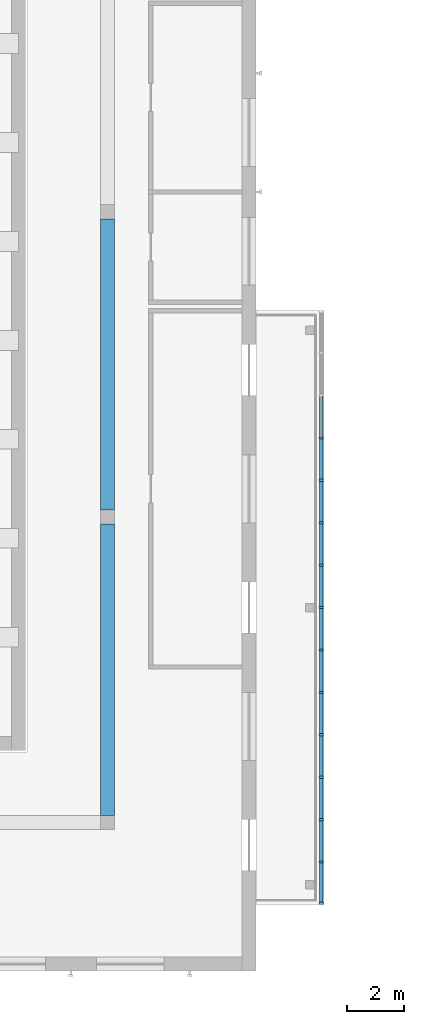
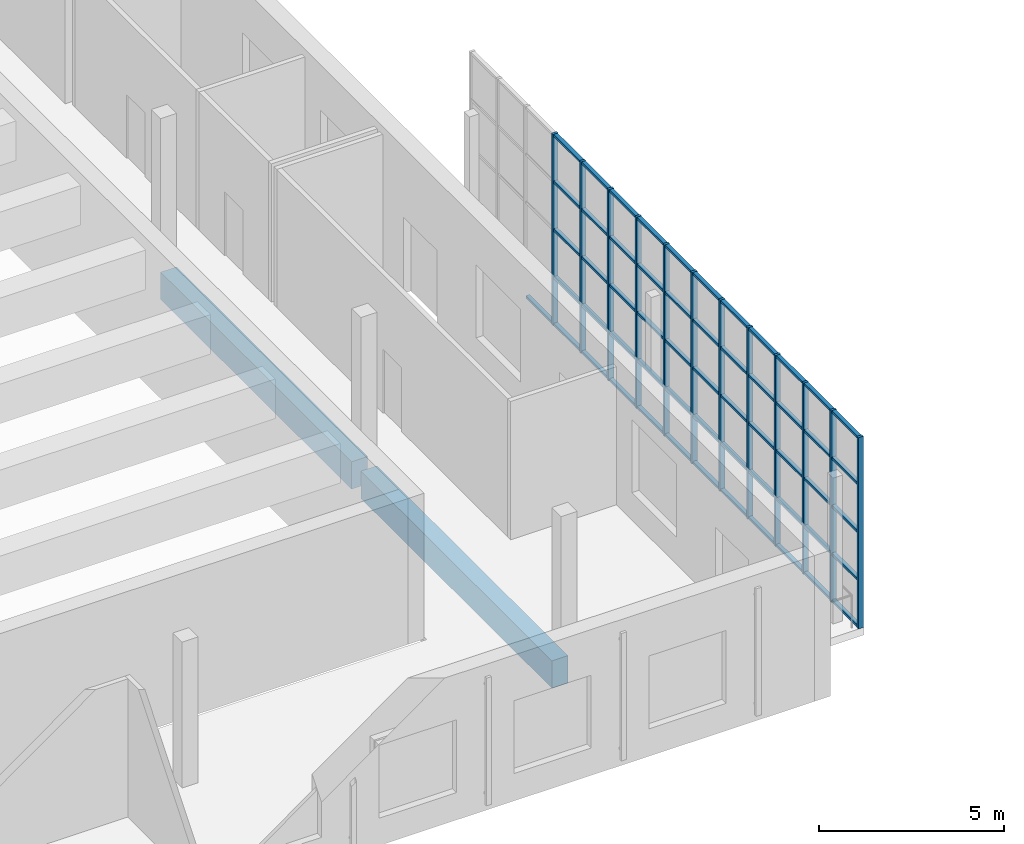
# One storey, part 16 of 116: 68 members, 2 beams, 1 element without a shape of its own.
"""IFC4 building model written with IfcOpenShell, lengths in metres."""

from ifc_helpers import new_model, si_unit, direction, frame, origin, origin_2d, place, context, subcontext, project, spatial, rectangle, extrude, material, material_profile, profile_set, type_object, element, aggregate, save


model = new_model("IFC4")

# Units and contexts
model_context = context("Model", 3, precision=1e-05, world=origin(), true_north=direction((0.0, 1.0)))
body_context = subcontext(model_context, "Body", "Model", "MODEL_VIEW")
ifc_project = project(units=[si_unit("LENGTHUNIT", "METRE"), si_unit("AREAUNIT", "SQUARE_METRE"), si_unit("VOLUMEUNIT", "CUBIC_METRE"), si_unit("PLANEANGLEUNIT", "RADIAN"), si_unit("MASSUNIT", "GRAM", prefix="KILO")], contexts=[model_context])

# Site, building, storey
site_placement = place(None, origin())
site = spatial("IfcSite", under=ifc_project, at=site_placement, CompositionType="ELEMENT")
building_placement = place(site_placement, origin())
building = spatial("IfcBuilding", under=site, at=building_placement, Name="Ljudholm Concert House", CompositionType="ELEMENT")
storey_placement = place(building_placement, frame((0.0, 0.0, 10.199951171875)))
storey = spatial("IfcBuildingStorey", under=building, at=storey_placement, Name="L02", CompositionType="ELEMENT", Elevation=10.199951171875)

# Curtain wall, members
ifc_material_1 = material(Name="Aluminium curtain wall with fixed aluminium storm louvre blades, timber-grain pvdf finish", Category="aluminium")
curtain_wall_type = type_object("IfcCurtainWallType", Name="CURTAIN WALL 1500", PredefinedType="NOTDEFINED", material=ifc_material_1)
curtain_wall_placement = place(storey_placement, origin())
curtain_wall = element("IfcCurtainWall", 1, at=curtain_wall_placement, inside=storey, type_object=curtain_wall_type, Name="Storm louvre screen", PredefinedType="NOTDEFINED")
ifc_material_2 = material(Name="Aluminium extrusion", Category="aluminium")
ifc_material_profile_1 = material_profile(ifc_material_2, rectangle(XDim=0.159912109375, YDim=0.080078125, at=origin_2d()), Name="MULLION 80x160")
ifc_profile_set_1 = profile_set([ifc_material_profile_1], Name="Aluminium extrusion")
member_type_1 = type_object("IfcMemberType", Name="MULLION 80x160", PredefinedType="MULLION", material=ifc_profile_set_1)
member_1_placement = place(storey_placement, frame((48.550048828125, 6.139892578125, 0.0), z_axis=(0.0, 0.0, 1.0), x_axis=(-1.0, 0.0, 0.0)))
member_1 = element("IfcMember", 2, at=member_1_placement, type_object=member_type_1, Name="Mullion", PredefinedType="MULLION", context=body_context, shape_type="SweptSolid", body=[
    extrude(rectangle(XDim=0.159912109375, YDim=0.080078125, at=origin_2d()), origin(), (0.0, 0.0, 1.0), 6.29931640625),
])
member_2_placement = place(storey_placement, frame((48.550048828125, 7.60009765625, 0.0), z_axis=(0.0, 0.0, 1.0), x_axis=(-1.0, 0.0, 0.0)))
member_2 = element("IfcMember", 3, at=member_2_placement, type_object=member_type_1, Name="Mullion", PredefinedType="MULLION", context=body_context, shape_type="SweptSolid", body=[
    extrude(rectangle(XDim=0.159912109375, YDim=0.080078125, at=origin_2d()), origin(), (0.0, 0.0, 1.0), 6.29931640625),
])
member_3_placement = place(storey_placement, frame((48.550048828125, 9.10009765625, 0.0), z_axis=(0.0, 0.0, 1.0), x_axis=(-1.0, 0.0, 0.0)))
member_3 = element("IfcMember", 4, at=member_3_placement, type_object=member_type_1, Name="Mullion", PredefinedType="MULLION", context=body_context, shape_type="SweptSolid", body=[
    extrude(rectangle(XDim=0.159912109375, YDim=0.080078125, at=origin_2d()), origin(), (0.0, 0.0, 1.0), 6.29931640625),
])
member_4_placement = place(storey_placement, frame((48.550048828125, 10.60009765625, 0.0), z_axis=(0.0, 0.0, 1.0), x_axis=(-1.0, 0.0, 0.0)))
member_4 = element("IfcMember", 5, at=member_4_placement, type_object=member_type_1, Name="Mullion", PredefinedType="MULLION", context=body_context, shape_type="SweptSolid", body=[
    extrude(rectangle(XDim=0.159912109375, YDim=0.080078125, at=origin_2d()), origin(), (0.0, 0.0, 1.0), 6.29931640625),
])
member_5_placement = place(storey_placement, frame((48.550048828125, 12.10009765625, 0.0), z_axis=(0.0, 0.0, 1.0), x_axis=(-1.0, 0.0, 0.0)))
member_5 = element("IfcMember", 6, at=member_5_placement, type_object=member_type_1, Name="Mullion", PredefinedType="MULLION", context=body_context, shape_type="SweptSolid", body=[
    extrude(rectangle(XDim=0.159912109375, YDim=0.080078125, at=origin_2d()), origin(), (0.0, 0.0, 1.0), 6.29931640625),
])
member_6_placement = place(storey_placement, frame((48.550048828125, 13.60009765625, 0.0), z_axis=(0.0, 0.0, 1.0), x_axis=(-1.0, 0.0, 0.0)))
member_6 = element("IfcMember", 7, at=member_6_placement, type_object=member_type_1, Name="Mullion", PredefinedType="MULLION", context=body_context, shape_type="SweptSolid", body=[
    extrude(rectangle(XDim=0.159912109375, YDim=0.080078125, at=origin_2d()), origin(), (0.0, 0.0, 1.0), 6.29931640625),
])
member_7_placement = place(storey_placement, frame((48.550048828125, 15.10009765625, 0.0), z_axis=(0.0, 0.0, 1.0), x_axis=(-1.0, 0.0, 0.0)))
member_7 = element("IfcMember", 8, at=member_7_placement, type_object=member_type_1, Name="Mullion", PredefinedType="MULLION", context=body_context, shape_type="SweptSolid", body=[
    extrude(rectangle(XDim=0.159912109375, YDim=0.080078125, at=origin_2d()), origin(), (0.0, 0.0, 1.0), 6.29931640625),
])
member_8_placement = place(storey_placement, frame((48.550048828125, 16.60009765625, 0.0), z_axis=(0.0, 0.0, 1.0), x_axis=(-1.0, 0.0, 0.0)))
member_8 = element("IfcMember", 9, at=member_8_placement, type_object=member_type_1, Name="Mullion", PredefinedType="MULLION", context=body_context, shape_type="SweptSolid", body=[
    extrude(rectangle(XDim=0.159912109375, YDim=0.080078125, at=origin_2d()), origin(), (0.0, 0.0, 1.0), 6.29931640625),
])
member_9_placement = place(storey_placement, frame((48.550048828125, 18.10009765625, 0.0), z_axis=(0.0, 0.0, 1.0), x_axis=(-1.0, 0.0, 0.0)))
member_9 = element("IfcMember", 10, at=member_9_placement, type_object=member_type_1, Name="Mullion", PredefinedType="MULLION", context=body_context, shape_type="SweptSolid", body=[
    extrude(rectangle(XDim=0.159912109375, YDim=0.080078125, at=origin_2d()), origin(), (0.0, 0.0, 1.0), 6.29931640625),
])
member_10_placement = place(storey_placement, frame((48.550048828125, 19.60009765625, 0.0), z_axis=(0.0, 0.0, 1.0), x_axis=(-1.0, 0.0, 0.0)))
member_10 = element("IfcMember", 11, at=member_10_placement, type_object=member_type_1, Name="Mullion", PredefinedType="MULLION", context=body_context, shape_type="SweptSolid", body=[
    extrude(rectangle(XDim=0.159912109375, YDim=0.080078125, at=origin_2d()), origin(), (0.0, 0.0, 1.0), 6.29931640625),
])
member_11_placement = place(storey_placement, frame((48.550048828125, 21.10009765625, 0.0), z_axis=(0.0, 0.0, 1.0), x_axis=(-1.0, 0.0, 0.0)))
member_11 = element("IfcMember", 12, at=member_11_placement, type_object=member_type_1, Name="Mullion", PredefinedType="MULLION", context=body_context, shape_type="SweptSolid", body=[
    extrude(rectangle(XDim=0.159912109375, YDim=0.080078125, at=origin_2d()), origin(), (0.0, 0.0, 1.0), 6.29931640625),
])
member_12_placement = place(storey_placement, frame((48.550048828125, 22.60009765625, 0.0), z_axis=(0.0, 0.0, 1.0), x_axis=(-1.0, 0.0, 0.0)))
member_12 = element("IfcMember", 13, at=member_12_placement, type_object=member_type_1, Name="Mullion", PredefinedType="MULLION", context=body_context, shape_type="SweptSolid", body=[
    extrude(rectangle(XDim=0.159912109375, YDim=0.080078125, at=origin_2d()), origin(), (0.0, 0.0, 1.0), 6.29931640625),
])

# Beams
ifc_material_3 = material(Name="Concrete 6,500 psi", Category="concrete")
ifc_material_profile_2 = material_profile(ifc_material_3, rectangle(XDim=0.5, YDim=0.89990234375, at=origin_2d()), Name="RC BEAM 500x900")
ifc_profile_set_2 = profile_set([ifc_material_profile_2], Name="Concrete 6,500 psi")
beam_type = type_object("IfcBeamType", Name="RC BEAM 500x900", PredefinedType="BEAM", material=ifc_profile_set_2)
for number, where, z_axis, x_axis, name in (
    (14, (41.0, 9.25, -0.699951171875), (0.0, 1.0, 0.0), (-1.0, 0.0, 0.0), "Ring beam"),
    (15, (41.0, 20.050048828125, -0.699951171875), (0.0, 1.0, 0.0), (-1.0, 0.0, 0.0), "Ring beam"),
):
    element("IfcBeam", number, at=place(storey_placement, frame(where, z_axis=z_axis, x_axis=x_axis)), inside=storey, type_object=beam_type, Name=name, PredefinedType="BEAM", context=body_context, shape_type="SweptSolid", body=[
        extrude(rectangle(XDim=0.5, YDim=0.89990234375, at=origin_2d()), origin(), (0.0, 0.0, 1.0), 10.300048828125),
    ])

# Member
ifc_material_4 = material(Name="Aluminium extrusion", Category="aluminium")
ifc_material_profile_3 = material_profile(ifc_material_4, rectangle(XDim=0.1201171875, YDim=0.080078125, at=origin_2d()), Name="TRANSOM 80x120")
ifc_profile_set_3 = profile_set([ifc_material_profile_3], Name="Aluminium extrusion")
member_type_2 = type_object("IfcMemberType", Name="TRANSOM 80x120", PredefinedType="USERDEFINED", material=ifc_profile_set_3)
member_13_placement = place(storey_placement, frame((48.550048828125, 6.179931640625, 0.0400390625), z_axis=(0.0, 1.0, 0.0), x_axis=(-1.0, 0.0, 0.0)))
member_13 = element("IfcMember", 16, at=member_13_placement, type_object=member_type_2, Name="Transom", ObjectType="TRANSOM", PredefinedType="USERDEFINED", context=body_context, shape_type="SweptSolid", body=[
    extrude(rectangle(XDim=0.1201171875, YDim=0.080078125, at=origin_2d()), origin(), (0.0, 0.0, 1.0), 1.380126953125),
])

member_14_placement = place(storey_placement, frame((48.550048828125, 6.179931640625, 1.574951171875), z_axis=(0.0, 1.0, 0.0), x_axis=(-1.0, 0.0, 0.0)))
member_14 = element("IfcMember", 17, at=member_14_placement, type_object=member_type_2, Name="Transom", ObjectType="TRANSOM", PredefinedType="USERDEFINED", context=body_context, shape_type="SweptSolid", body=[
    extrude(rectangle(XDim=0.1201171875, YDim=0.080078125, at=origin_2d()), origin(), (0.0, 0.0, 1.0), 1.380126953125),
])

member_15_placement = place(storey_placement, frame((48.550048828125, 6.179931640625, 3.149658203125), z_axis=(0.0, 1.0, 0.0), x_axis=(-1.0, 0.0, 0.0)))
member_15 = element("IfcMember", 18, at=member_15_placement, type_object=member_type_2, Name="Transom", ObjectType="TRANSOM", PredefinedType="USERDEFINED", context=body_context, shape_type="SweptSolid", body=[
    extrude(rectangle(XDim=0.1201171875, YDim=0.080078125, at=origin_2d()), origin(), (0.0, 0.0, 1.0), 1.380126953125),
])

member_16_placement = place(storey_placement, frame((48.550048828125, 6.179931640625, 4.724365234375), z_axis=(0.0, 1.0, 0.0), x_axis=(-1.0, 0.0, 0.0)))
member_16 = element("IfcMember", 19, at=member_16_placement, type_object=member_type_2, Name="Transom", ObjectType="TRANSOM", PredefinedType="USERDEFINED", context=body_context, shape_type="SweptSolid", body=[
    extrude(rectangle(XDim=0.1201171875, YDim=0.080078125, at=origin_2d()), origin(), (0.0, 0.0, 1.0), 1.380126953125),
])

member_17_placement = place(storey_placement, frame((48.550048828125, 6.179931640625, 6.25927734375), z_axis=(0.0, 1.0, 0.0), x_axis=(-1.0, 0.0, 0.0)))
member_17 = element("IfcMember", 20, at=member_17_placement, type_object=member_type_2, Name="Transom", ObjectType="TRANSOM", PredefinedType="USERDEFINED", context=body_context, shape_type="SweptSolid", body=[
    extrude(rectangle(XDim=0.1201171875, YDim=0.080078125, at=origin_2d()), origin(), (0.0, 0.0, 1.0), 1.380126953125),
])

member_18_placement = place(storey_placement, frame((48.550048828125, 7.639892578125, 0.0400390625), z_axis=(0.0, 1.0, 0.0), x_axis=(-1.0, 0.0, 0.0)))
member_18 = element("IfcMember", 21, at=member_18_placement, type_object=member_type_2, Name="Transom", ObjectType="TRANSOM", PredefinedType="USERDEFINED", context=body_context, shape_type="SweptSolid", body=[
    extrude(rectangle(XDim=0.1201171875, YDim=0.080078125, at=origin_2d()), origin(), (0.0, 0.0, 1.0), 1.420166015625),
])

member_19_placement = place(storey_placement, frame((48.550048828125, 7.639892578125, 1.574951171875), z_axis=(0.0, 1.0, 0.0), x_axis=(-1.0, 0.0, 0.0)))
member_19 = element("IfcMember", 22, at=member_19_placement, type_object=member_type_2, Name="Transom", ObjectType="TRANSOM", PredefinedType="USERDEFINED", context=body_context, shape_type="SweptSolid", body=[
    extrude(rectangle(XDim=0.1201171875, YDim=0.080078125, at=origin_2d()), origin(), (0.0, 0.0, 1.0), 1.420166015625),
])

member_20_placement = place(storey_placement, frame((48.550048828125, 7.639892578125, 3.149658203125), z_axis=(0.0, 1.0, 0.0), x_axis=(-1.0, 0.0, 0.0)))
member_20 = element("IfcMember", 23, at=member_20_placement, type_object=member_type_2, Name="Transom", ObjectType="TRANSOM", PredefinedType="USERDEFINED", context=body_context, shape_type="SweptSolid", body=[
    extrude(rectangle(XDim=0.1201171875, YDim=0.080078125, at=origin_2d()), origin(), (0.0, 0.0, 1.0), 1.420166015625),
])

member_21_placement = place(storey_placement, frame((48.550048828125, 7.639892578125, 4.724365234375), z_axis=(0.0, 1.0, 0.0), x_axis=(-1.0, 0.0, 0.0)))
member_21 = element("IfcMember", 24, at=member_21_placement, type_object=member_type_2, Name="Transom", ObjectType="TRANSOM", PredefinedType="USERDEFINED", context=body_context, shape_type="SweptSolid", body=[
    extrude(rectangle(XDim=0.1201171875, YDim=0.080078125, at=origin_2d()), origin(), (0.0, 0.0, 1.0), 1.420166015625),
])

member_22_placement = place(storey_placement, frame((48.550048828125, 7.639892578125, 6.25927734375), z_axis=(0.0, 1.0, 0.0), x_axis=(-1.0, 0.0, 0.0)))
member_22 = element("IfcMember", 25, at=member_22_placement, type_object=member_type_2, Name="Transom", ObjectType="TRANSOM", PredefinedType="USERDEFINED", context=body_context, shape_type="SweptSolid", body=[
    extrude(rectangle(XDim=0.1201171875, YDim=0.080078125, at=origin_2d()), origin(), (0.0, 0.0, 1.0), 1.420166015625),
])

member_23_placement = place(storey_placement, frame((48.550048828125, 9.139892578125, 0.0400390625), z_axis=(0.0, 1.0, 0.0), x_axis=(-1.0, 0.0, 0.0)))
member_23 = element("IfcMember", 26, at=member_23_placement, type_object=member_type_2, Name="Transom", ObjectType="TRANSOM", PredefinedType="USERDEFINED", context=body_context, shape_type="SweptSolid", body=[
    extrude(rectangle(XDim=0.1201171875, YDim=0.080078125, at=origin_2d()), origin(), (0.0, 0.0, 1.0), 1.420166015625),
])

member_24_placement = place(storey_placement, frame((48.550048828125, 9.139892578125, 1.574951171875), z_axis=(0.0, 1.0, 0.0), x_axis=(-1.0, 0.0, 0.0)))
member_24 = element("IfcMember", 27, at=member_24_placement, type_object=member_type_2, Name="Transom", ObjectType="TRANSOM", PredefinedType="USERDEFINED", context=body_context, shape_type="SweptSolid", body=[
    extrude(rectangle(XDim=0.1201171875, YDim=0.080078125, at=origin_2d()), origin(), (0.0, 0.0, 1.0), 1.420166015625),
])

member_25_placement = place(storey_placement, frame((48.550048828125, 9.139892578125, 3.149658203125), z_axis=(0.0, 1.0, 0.0), x_axis=(-1.0, 0.0, 0.0)))
member_25 = element("IfcMember", 28, at=member_25_placement, type_object=member_type_2, Name="Transom", ObjectType="TRANSOM", PredefinedType="USERDEFINED", context=body_context, shape_type="SweptSolid", body=[
    extrude(rectangle(XDim=0.1201171875, YDim=0.080078125, at=origin_2d()), origin(), (0.0, 0.0, 1.0), 1.420166015625),
])

member_26_placement = place(storey_placement, frame((48.550048828125, 9.139892578125, 4.724365234375), z_axis=(0.0, 1.0, 0.0), x_axis=(-1.0, 0.0, 0.0)))
member_26 = element("IfcMember", 29, at=member_26_placement, type_object=member_type_2, Name="Transom", ObjectType="TRANSOM", PredefinedType="USERDEFINED", context=body_context, shape_type="SweptSolid", body=[
    extrude(rectangle(XDim=0.1201171875, YDim=0.080078125, at=origin_2d()), origin(), (0.0, 0.0, 1.0), 1.420166015625),
])

member_27_placement = place(storey_placement, frame((48.550048828125, 9.139892578125, 6.25927734375), z_axis=(0.0, 1.0, 0.0), x_axis=(-1.0, 0.0, 0.0)))
member_27 = element("IfcMember", 30, at=member_27_placement, type_object=member_type_2, Name="Transom", ObjectType="TRANSOM", PredefinedType="USERDEFINED", context=body_context, shape_type="SweptSolid", body=[
    extrude(rectangle(XDim=0.1201171875, YDim=0.080078125, at=origin_2d()), origin(), (0.0, 0.0, 1.0), 1.420166015625),
])

member_28_placement = place(storey_placement, frame((48.550048828125, 10.639892578125, 0.0400390625), z_axis=(0.0, 1.0, 0.0), x_axis=(-1.0, 0.0, 0.0)))
member_28 = element("IfcMember", 31, at=member_28_placement, type_object=member_type_2, Name="Transom", ObjectType="TRANSOM", PredefinedType="USERDEFINED", context=body_context, shape_type="SweptSolid", body=[
    extrude(rectangle(XDim=0.1201171875, YDim=0.080078125, at=origin_2d()), origin(), (0.0, 0.0, 1.0), 1.420166015625),
])

member_29_placement = place(storey_placement, frame((48.550048828125, 10.639892578125, 1.574951171875), z_axis=(0.0, 1.0, 0.0), x_axis=(-1.0, 0.0, 0.0)))
member_29 = element("IfcMember", 32, at=member_29_placement, type_object=member_type_2, Name="Transom", ObjectType="TRANSOM", PredefinedType="USERDEFINED", context=body_context, shape_type="SweptSolid", body=[
    extrude(rectangle(XDim=0.1201171875, YDim=0.080078125, at=origin_2d()), origin(), (0.0, 0.0, 1.0), 1.420166015625),
])

member_30_placement = place(storey_placement, frame((48.550048828125, 10.639892578125, 3.149658203125), z_axis=(0.0, 1.0, 0.0), x_axis=(-1.0, 0.0, 0.0)))
member_30 = element("IfcMember", 33, at=member_30_placement, type_object=member_type_2, Name="Transom", ObjectType="TRANSOM", PredefinedType="USERDEFINED", context=body_context, shape_type="SweptSolid", body=[
    extrude(rectangle(XDim=0.1201171875, YDim=0.080078125, at=origin_2d()), origin(), (0.0, 0.0, 1.0), 1.420166015625),
])

member_31_placement = place(storey_placement, frame((48.550048828125, 10.639892578125, 4.724365234375), z_axis=(0.0, 1.0, 0.0), x_axis=(-1.0, 0.0, 0.0)))
member_31 = element("IfcMember", 34, at=member_31_placement, type_object=member_type_2, Name="Transom", ObjectType="TRANSOM", PredefinedType="USERDEFINED", context=body_context, shape_type="SweptSolid", body=[
    extrude(rectangle(XDim=0.1201171875, YDim=0.080078125, at=origin_2d()), origin(), (0.0, 0.0, 1.0), 1.420166015625),
])

member_32_placement = place(storey_placement, frame((48.550048828125, 10.639892578125, 6.25927734375), z_axis=(0.0, 1.0, 0.0), x_axis=(-1.0, 0.0, 0.0)))
member_32 = element("IfcMember", 35, at=member_32_placement, type_object=member_type_2, Name="Transom", ObjectType="TRANSOM", PredefinedType="USERDEFINED", context=body_context, shape_type="SweptSolid", body=[
    extrude(rectangle(XDim=0.1201171875, YDim=0.080078125, at=origin_2d()), origin(), (0.0, 0.0, 1.0), 1.420166015625),
])

member_33_placement = place(storey_placement, frame((48.550048828125, 12.139892578125, 0.0400390625), z_axis=(0.0, 1.0, 0.0), x_axis=(-1.0, 0.0, 0.0)))
member_33 = element("IfcMember", 36, at=member_33_placement, type_object=member_type_2, Name="Transom", ObjectType="TRANSOM", PredefinedType="USERDEFINED", context=body_context, shape_type="SweptSolid", body=[
    extrude(rectangle(XDim=0.1201171875, YDim=0.080078125, at=origin_2d()), origin(), (0.0, 0.0, 1.0), 1.420166015625),
])

member_34_placement = place(storey_placement, frame((48.550048828125, 12.139892578125, 1.574951171875), z_axis=(0.0, 1.0, 0.0), x_axis=(-1.0, 0.0, 0.0)))
member_34 = element("IfcMember", 37, at=member_34_placement, type_object=member_type_2, Name="Transom", ObjectType="TRANSOM", PredefinedType="USERDEFINED", context=body_context, shape_type="SweptSolid", body=[
    extrude(rectangle(XDim=0.1201171875, YDim=0.080078125, at=origin_2d()), origin(), (0.0, 0.0, 1.0), 1.420166015625),
])

member_35_placement = place(storey_placement, frame((48.550048828125, 12.139892578125, 3.149658203125), z_axis=(0.0, 1.0, 0.0), x_axis=(-1.0, 0.0, 0.0)))
member_35 = element("IfcMember", 38, at=member_35_placement, type_object=member_type_2, Name="Transom", ObjectType="TRANSOM", PredefinedType="USERDEFINED", context=body_context, shape_type="SweptSolid", body=[
    extrude(rectangle(XDim=0.1201171875, YDim=0.080078125, at=origin_2d()), origin(), (0.0, 0.0, 1.0), 1.420166015625),
])

member_36_placement = place(storey_placement, frame((48.550048828125, 12.139892578125, 4.724365234375), z_axis=(0.0, 1.0, 0.0), x_axis=(-1.0, 0.0, 0.0)))
member_36 = element("IfcMember", 39, at=member_36_placement, type_object=member_type_2, Name="Transom", ObjectType="TRANSOM", PredefinedType="USERDEFINED", context=body_context, shape_type="SweptSolid", body=[
    extrude(rectangle(XDim=0.1201171875, YDim=0.080078125, at=origin_2d()), origin(), (0.0, 0.0, 1.0), 1.420166015625),
])

member_37_placement = place(storey_placement, frame((48.550048828125, 12.139892578125, 6.25927734375), z_axis=(0.0, 1.0, 0.0), x_axis=(-1.0, 0.0, 0.0)))
member_37 = element("IfcMember", 40, at=member_37_placement, type_object=member_type_2, Name="Transom", ObjectType="TRANSOM", PredefinedType="USERDEFINED", context=body_context, shape_type="SweptSolid", body=[
    extrude(rectangle(XDim=0.1201171875, YDim=0.080078125, at=origin_2d()), origin(), (0.0, 0.0, 1.0), 1.420166015625),
])

member_38_placement = place(storey_placement, frame((48.550048828125, 13.639892578125, 0.0400390625), z_axis=(0.0, 1.0, 0.0), x_axis=(-1.0, 0.0, 0.0)))
member_38 = element("IfcMember", 41, at=member_38_placement, type_object=member_type_2, Name="Transom", ObjectType="TRANSOM", PredefinedType="USERDEFINED", context=body_context, shape_type="SweptSolid", body=[
    extrude(rectangle(XDim=0.1201171875, YDim=0.080078125, at=origin_2d()), origin(), (0.0, 0.0, 1.0), 1.420166015625),
])

member_39_placement = place(storey_placement, frame((48.550048828125, 13.639892578125, 1.574951171875), z_axis=(0.0, 1.0, 0.0), x_axis=(-1.0, 0.0, 0.0)))
member_39 = element("IfcMember", 42, at=member_39_placement, type_object=member_type_2, Name="Transom", ObjectType="TRANSOM", PredefinedType="USERDEFINED", context=body_context, shape_type="SweptSolid", body=[
    extrude(rectangle(XDim=0.1201171875, YDim=0.080078125, at=origin_2d()), origin(), (0.0, 0.0, 1.0), 1.420166015625),
])

member_40_placement = place(storey_placement, frame((48.550048828125, 13.639892578125, 3.149658203125), z_axis=(0.0, 1.0, 0.0), x_axis=(-1.0, 0.0, 0.0)))
member_40 = element("IfcMember", 43, at=member_40_placement, type_object=member_type_2, Name="Transom", ObjectType="TRANSOM", PredefinedType="USERDEFINED", context=body_context, shape_type="SweptSolid", body=[
    extrude(rectangle(XDim=0.1201171875, YDim=0.080078125, at=origin_2d()), origin(), (0.0, 0.0, 1.0), 1.420166015625),
])

member_41_placement = place(storey_placement, frame((48.550048828125, 13.639892578125, 4.724365234375), z_axis=(0.0, 1.0, 0.0), x_axis=(-1.0, 0.0, 0.0)))
member_41 = element("IfcMember", 44, at=member_41_placement, type_object=member_type_2, Name="Transom", ObjectType="TRANSOM", PredefinedType="USERDEFINED", context=body_context, shape_type="SweptSolid", body=[
    extrude(rectangle(XDim=0.1201171875, YDim=0.080078125, at=origin_2d()), origin(), (0.0, 0.0, 1.0), 1.420166015625),
])

member_42_placement = place(storey_placement, frame((48.550048828125, 13.639892578125, 6.25927734375), z_axis=(0.0, 1.0, 0.0), x_axis=(-1.0, 0.0, 0.0)))
member_42 = element("IfcMember", 45, at=member_42_placement, type_object=member_type_2, Name="Transom", ObjectType="TRANSOM", PredefinedType="USERDEFINED", context=body_context, shape_type="SweptSolid", body=[
    extrude(rectangle(XDim=0.1201171875, YDim=0.080078125, at=origin_2d()), origin(), (0.0, 0.0, 1.0), 1.420166015625),
])

member_43_placement = place(storey_placement, frame((48.550048828125, 15.139892578125, 0.0400390625), z_axis=(0.0, 1.0, 0.0), x_axis=(-1.0, 0.0, 0.0)))
member_43 = element("IfcMember", 46, at=member_43_placement, type_object=member_type_2, Name="Transom", ObjectType="TRANSOM", PredefinedType="USERDEFINED", context=body_context, shape_type="SweptSolid", body=[
    extrude(rectangle(XDim=0.1201171875, YDim=0.080078125, at=origin_2d()), origin(), (0.0, 0.0, 1.0), 1.420166015625),
])

member_44_placement = place(storey_placement, frame((48.550048828125, 15.139892578125, 1.574951171875), z_axis=(0.0, 1.0, 0.0), x_axis=(-1.0, 0.0, 0.0)))
member_44 = element("IfcMember", 47, at=member_44_placement, type_object=member_type_2, Name="Transom", ObjectType="TRANSOM", PredefinedType="USERDEFINED", context=body_context, shape_type="SweptSolid", body=[
    extrude(rectangle(XDim=0.1201171875, YDim=0.080078125, at=origin_2d()), origin(), (0.0, 0.0, 1.0), 1.420166015625),
])

member_45_placement = place(storey_placement, frame((48.550048828125, 15.139892578125, 3.149658203125), z_axis=(0.0, 1.0, 0.0), x_axis=(-1.0, 0.0, 0.0)))
member_45 = element("IfcMember", 48, at=member_45_placement, type_object=member_type_2, Name="Transom", ObjectType="TRANSOM", PredefinedType="USERDEFINED", context=body_context, shape_type="SweptSolid", body=[
    extrude(rectangle(XDim=0.1201171875, YDim=0.080078125, at=origin_2d()), origin(), (0.0, 0.0, 1.0), 1.420166015625),
])

member_46_placement = place(storey_placement, frame((48.550048828125, 15.139892578125, 4.724365234375), z_axis=(0.0, 1.0, 0.0), x_axis=(-1.0, 0.0, 0.0)))
member_46 = element("IfcMember", 49, at=member_46_placement, type_object=member_type_2, Name="Transom", ObjectType="TRANSOM", PredefinedType="USERDEFINED", context=body_context, shape_type="SweptSolid", body=[
    extrude(rectangle(XDim=0.1201171875, YDim=0.080078125, at=origin_2d()), origin(), (0.0, 0.0, 1.0), 1.420166015625),
])

member_47_placement = place(storey_placement, frame((48.550048828125, 15.139892578125, 6.25927734375), z_axis=(0.0, 1.0, 0.0), x_axis=(-1.0, 0.0, 0.0)))
member_47 = element("IfcMember", 50, at=member_47_placement, type_object=member_type_2, Name="Transom", ObjectType="TRANSOM", PredefinedType="USERDEFINED", context=body_context, shape_type="SweptSolid", body=[
    extrude(rectangle(XDim=0.1201171875, YDim=0.080078125, at=origin_2d()), origin(), (0.0, 0.0, 1.0), 1.420166015625),
])

member_48_placement = place(storey_placement, frame((48.550048828125, 16.639892578125, 0.0400390625), z_axis=(0.0, 1.0, 0.0), x_axis=(-1.0, 0.0, 0.0)))
member_48 = element("IfcMember", 51, at=member_48_placement, type_object=member_type_2, Name="Transom", ObjectType="TRANSOM", PredefinedType="USERDEFINED", context=body_context, shape_type="SweptSolid", body=[
    extrude(rectangle(XDim=0.1201171875, YDim=0.080078125, at=origin_2d()), origin(), (0.0, 0.0, 1.0), 1.420166015625),
])

member_49_placement = place(storey_placement, frame((48.550048828125, 16.639892578125, 1.574951171875), z_axis=(0.0, 1.0, 0.0), x_axis=(-1.0, 0.0, 0.0)))
member_49 = element("IfcMember", 52, at=member_49_placement, type_object=member_type_2, Name="Transom", ObjectType="TRANSOM", PredefinedType="USERDEFINED", context=body_context, shape_type="SweptSolid", body=[
    extrude(rectangle(XDim=0.1201171875, YDim=0.080078125, at=origin_2d()), origin(), (0.0, 0.0, 1.0), 1.420166015625),
])

member_50_placement = place(storey_placement, frame((48.550048828125, 16.639892578125, 3.149658203125), z_axis=(0.0, 1.0, 0.0), x_axis=(-1.0, 0.0, 0.0)))
member_50 = element("IfcMember", 53, at=member_50_placement, type_object=member_type_2, Name="Transom", ObjectType="TRANSOM", PredefinedType="USERDEFINED", context=body_context, shape_type="SweptSolid", body=[
    extrude(rectangle(XDim=0.1201171875, YDim=0.080078125, at=origin_2d()), origin(), (0.0, 0.0, 1.0), 1.420166015625),
])

member_51_placement = place(storey_placement, frame((48.550048828125, 16.639892578125, 4.724365234375), z_axis=(0.0, 1.0, 0.0), x_axis=(-1.0, 0.0, 0.0)))
member_51 = element("IfcMember", 54, at=member_51_placement, type_object=member_type_2, Name="Transom", ObjectType="TRANSOM", PredefinedType="USERDEFINED", context=body_context, shape_type="SweptSolid", body=[
    extrude(rectangle(XDim=0.1201171875, YDim=0.080078125, at=origin_2d()), origin(), (0.0, 0.0, 1.0), 1.420166015625),
])

member_52_placement = place(storey_placement, frame((48.550048828125, 16.639892578125, 6.25927734375), z_axis=(0.0, 1.0, 0.0), x_axis=(-1.0, 0.0, 0.0)))
member_52 = element("IfcMember", 55, at=member_52_placement, type_object=member_type_2, Name="Transom", ObjectType="TRANSOM", PredefinedType="USERDEFINED", context=body_context, shape_type="SweptSolid", body=[
    extrude(rectangle(XDim=0.1201171875, YDim=0.080078125, at=origin_2d()), origin(), (0.0, 0.0, 1.0), 1.420166015625),
])

member_53_placement = place(storey_placement, frame((48.550048828125, 18.139892578125, 0.0400390625), z_axis=(0.0, 1.0, 0.0), x_axis=(-1.0, 0.0, 0.0)))
member_53 = element("IfcMember", 56, at=member_53_placement, type_object=member_type_2, Name="Transom", ObjectType="TRANSOM", PredefinedType="USERDEFINED", context=body_context, shape_type="SweptSolid", body=[
    extrude(rectangle(XDim=0.1201171875, YDim=0.080078125, at=origin_2d()), origin(), (0.0, 0.0, 1.0), 1.420166015625),
])

member_54_placement = place(storey_placement, frame((48.550048828125, 18.139892578125, 1.574951171875), z_axis=(0.0, 1.0, 0.0), x_axis=(-1.0, 0.0, 0.0)))
member_54 = element("IfcMember", 57, at=member_54_placement, type_object=member_type_2, Name="Transom", ObjectType="TRANSOM", PredefinedType="USERDEFINED", context=body_context, shape_type="SweptSolid", body=[
    extrude(rectangle(XDim=0.1201171875, YDim=0.080078125, at=origin_2d()), origin(), (0.0, 0.0, 1.0), 1.420166015625),
])

member_55_placement = place(storey_placement, frame((48.550048828125, 18.139892578125, 3.149658203125), z_axis=(0.0, 1.0, 0.0), x_axis=(-1.0, 0.0, 0.0)))
member_55 = element("IfcMember", 58, at=member_55_placement, type_object=member_type_2, Name="Transom", ObjectType="TRANSOM", PredefinedType="USERDEFINED", context=body_context, shape_type="SweptSolid", body=[
    extrude(rectangle(XDim=0.1201171875, YDim=0.080078125, at=origin_2d()), origin(), (0.0, 0.0, 1.0), 1.420166015625),
])

member_56_placement = place(storey_placement, frame((48.550048828125, 18.139892578125, 4.724365234375), z_axis=(0.0, 1.0, 0.0), x_axis=(-1.0, 0.0, 0.0)))
member_56 = element("IfcMember", 59, at=member_56_placement, type_object=member_type_2, Name="Transom", ObjectType="TRANSOM", PredefinedType="USERDEFINED", context=body_context, shape_type="SweptSolid", body=[
    extrude(rectangle(XDim=0.1201171875, YDim=0.080078125, at=origin_2d()), origin(), (0.0, 0.0, 1.0), 1.420166015625),
])

member_57_placement = place(storey_placement, frame((48.550048828125, 18.139892578125, 6.25927734375), z_axis=(0.0, 1.0, 0.0), x_axis=(-1.0, 0.0, 0.0)))
member_57 = element("IfcMember", 60, at=member_57_placement, type_object=member_type_2, Name="Transom", ObjectType="TRANSOM", PredefinedType="USERDEFINED", context=body_context, shape_type="SweptSolid", body=[
    extrude(rectangle(XDim=0.1201171875, YDim=0.080078125, at=origin_2d()), origin(), (0.0, 0.0, 1.0), 1.420166015625),
])

member_58_placement = place(storey_placement, frame((48.550048828125, 19.639892578125, 0.0400390625), z_axis=(0.0, 1.0, 0.0), x_axis=(-1.0, 0.0, 0.0)))
member_58 = element("IfcMember", 61, at=member_58_placement, type_object=member_type_2, Name="Transom", ObjectType="TRANSOM", PredefinedType="USERDEFINED", context=body_context, shape_type="SweptSolid", body=[
    extrude(rectangle(XDim=0.1201171875, YDim=0.080078125, at=origin_2d()), origin(), (0.0, 0.0, 1.0), 1.420166015625),
])

member_59_placement = place(storey_placement, frame((48.550048828125, 19.639892578125, 1.574951171875), z_axis=(0.0, 1.0, 0.0), x_axis=(-1.0, 0.0, 0.0)))
member_59 = element("IfcMember", 62, at=member_59_placement, type_object=member_type_2, Name="Transom", ObjectType="TRANSOM", PredefinedType="USERDEFINED", context=body_context, shape_type="SweptSolid", body=[
    extrude(rectangle(XDim=0.1201171875, YDim=0.080078125, at=origin_2d()), origin(), (0.0, 0.0, 1.0), 1.420166015625),
])

member_60_placement = place(storey_placement, frame((48.550048828125, 19.639892578125, 3.149658203125), z_axis=(0.0, 1.0, 0.0), x_axis=(-1.0, 0.0, 0.0)))
member_60 = element("IfcMember", 63, at=member_60_placement, type_object=member_type_2, Name="Transom", ObjectType="TRANSOM", PredefinedType="USERDEFINED", context=body_context, shape_type="SweptSolid", body=[
    extrude(rectangle(XDim=0.1201171875, YDim=0.080078125, at=origin_2d()), origin(), (0.0, 0.0, 1.0), 1.420166015625),
])

member_61_placement = place(storey_placement, frame((48.550048828125, 19.639892578125, 4.724365234375), z_axis=(0.0, 1.0, 0.0), x_axis=(-1.0, 0.0, 0.0)))
member_61 = element("IfcMember", 64, at=member_61_placement, type_object=member_type_2, Name="Transom", ObjectType="TRANSOM", PredefinedType="USERDEFINED", context=body_context, shape_type="SweptSolid", body=[
    extrude(rectangle(XDim=0.1201171875, YDim=0.080078125, at=origin_2d()), origin(), (0.0, 0.0, 1.0), 1.420166015625),
])

member_62_placement = place(storey_placement, frame((48.550048828125, 19.639892578125, 6.25927734375), z_axis=(0.0, 1.0, 0.0), x_axis=(-1.0, 0.0, 0.0)))
member_62 = element("IfcMember", 65, at=member_62_placement, type_object=member_type_2, Name="Transom", ObjectType="TRANSOM", PredefinedType="USERDEFINED", context=body_context, shape_type="SweptSolid", body=[
    extrude(rectangle(XDim=0.1201171875, YDim=0.080078125, at=origin_2d()), origin(), (0.0, 0.0, 1.0), 1.420166015625),
])

member_63_placement = place(storey_placement, frame((48.550048828125, 21.139892578125, 0.0400390625), z_axis=(0.0, 1.0, 0.0), x_axis=(-1.0, 0.0, 0.0)))
member_63 = element("IfcMember", 66, at=member_63_placement, type_object=member_type_2, Name="Transom", ObjectType="TRANSOM", PredefinedType="USERDEFINED", context=body_context, shape_type="SweptSolid", body=[
    extrude(rectangle(XDim=0.1201171875, YDim=0.080078125, at=origin_2d()), origin(), (0.0, 0.0, 1.0), 1.420166015625),
])

member_64_placement = place(storey_placement, frame((48.550048828125, 21.139892578125, 1.574951171875), z_axis=(0.0, 1.0, 0.0), x_axis=(-1.0, 0.0, 0.0)))
member_64 = element("IfcMember", 67, at=member_64_placement, type_object=member_type_2, Name="Transom", ObjectType="TRANSOM", PredefinedType="USERDEFINED", context=body_context, shape_type="SweptSolid", body=[
    extrude(rectangle(XDim=0.1201171875, YDim=0.080078125, at=origin_2d()), origin(), (0.0, 0.0, 1.0), 1.420166015625),
])

member_65_placement = place(storey_placement, frame((48.550048828125, 21.139892578125, 3.149658203125), z_axis=(0.0, 1.0, 0.0), x_axis=(-1.0, 0.0, 0.0)))
member_65 = element("IfcMember", 68, at=member_65_placement, type_object=member_type_2, Name="Transom", ObjectType="TRANSOM", PredefinedType="USERDEFINED", context=body_context, shape_type="SweptSolid", body=[
    extrude(rectangle(XDim=0.1201171875, YDim=0.080078125, at=origin_2d()), origin(), (0.0, 0.0, 1.0), 1.420166015625),
])

member_66_placement = place(storey_placement, frame((48.550048828125, 21.139892578125, 4.724365234375), z_axis=(0.0, 1.0, 0.0), x_axis=(-1.0, 0.0, 0.0)))
member_66 = element("IfcMember", 69, at=member_66_placement, type_object=member_type_2, Name="Transom", ObjectType="TRANSOM", PredefinedType="USERDEFINED", context=body_context, shape_type="SweptSolid", body=[
    extrude(rectangle(XDim=0.1201171875, YDim=0.080078125, at=origin_2d()), origin(), (0.0, 0.0, 1.0), 1.420166015625),
])

member_67_placement = place(storey_placement, frame((48.550048828125, 21.139892578125, 6.25927734375), z_axis=(0.0, 1.0, 0.0), x_axis=(-1.0, 0.0, 0.0)))
member_67 = element("IfcMember", 70, at=member_67_placement, type_object=member_type_2, Name="Transom", ObjectType="TRANSOM", PredefinedType="USERDEFINED", context=body_context, shape_type="SweptSolid", body=[
    extrude(rectangle(XDim=0.1201171875, YDim=0.080078125, at=origin_2d()), origin(), (0.0, 0.0, 1.0), 1.420166015625),
])

member_68_placement = place(storey_placement, frame((48.550048828125, 22.639892578125, 0.0400390625), z_axis=(0.0, 1.0, 0.0), x_axis=(-1.0, 0.0, 0.0)))
member_68 = element("IfcMember", 71, at=member_68_placement, type_object=member_type_2, Name="Transom", ObjectType="TRANSOM", PredefinedType="USERDEFINED", context=body_context, shape_type="SweptSolid", body=[
    extrude(rectangle(XDim=0.1201171875, YDim=0.080078125, at=origin_2d()), origin(), (0.0, 0.0, 1.0), 1.420166015625),
])

aggregate(curtain_wall, [member_1, member_2, member_3, member_4, member_5, member_6, member_7, member_8, member_9, member_10, member_11, member_12, member_13, member_14, member_15, member_16, member_17, member_18, member_19, member_20, member_21, member_22, member_23, member_24, member_25, member_26, member_27, member_28, member_29, member_30, member_31, member_32, member_33, member_34, member_35, member_36, member_37, member_38, member_39, member_40, member_41, member_42, member_43, member_44, member_45, member_46, member_47, member_48, member_49, member_50, member_51, member_52, member_53, member_54, member_55, member_56, member_57, member_58, member_59, member_60, member_61, member_62, member_63, member_64, member_65, member_66, member_67, member_68])

save(model, "model.ifc")
